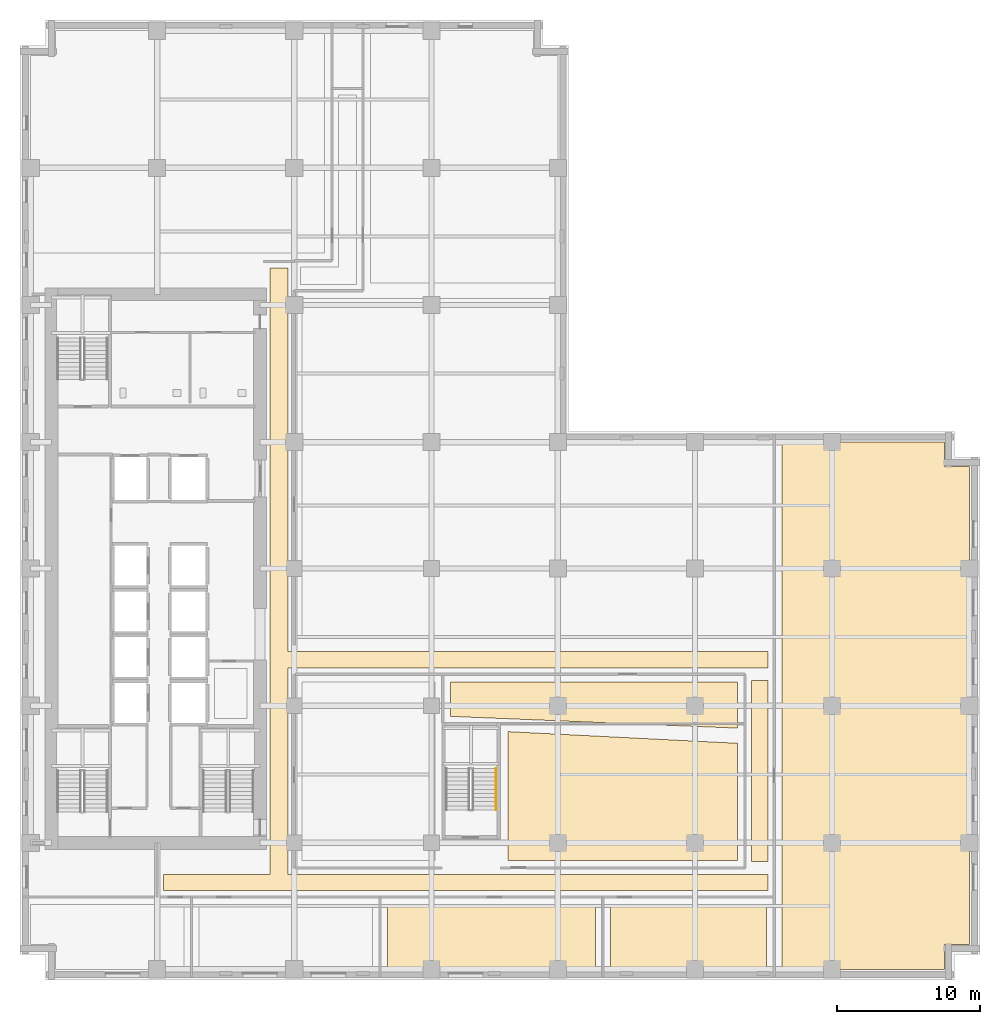
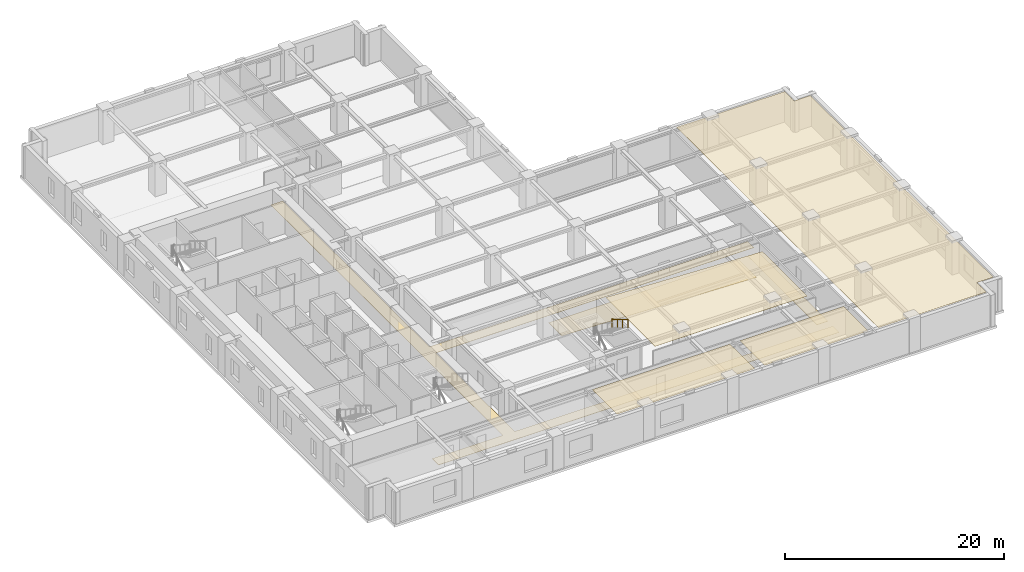
# One storey, part 10 of 13: 7 coverings, 1 railing.
"""IFC4 building model written with IfcOpenShell, lengths in metres."""

from ifc_helpers import new_model, si_unit, direction, frame, origin, origin_2d, place, context, subcontext, project, spatial, polyline, circle, outline, extrude, material, layer, layer_set, type_object, element, save


model = new_model("IFC4")

# Units and contexts
model_context = context("Model", 3, precision=1e-05, world=origin(), true_north=direction((0.0, 1.0)))
body_context = subcontext(model_context, "Body", "Model", "MODEL_VIEW")
ifc_project = project(units=[si_unit("LENGTHUNIT", "METRE"), si_unit("AREAUNIT", "SQUARE_METRE"), si_unit("VOLUMEUNIT", "CUBIC_METRE"), si_unit("PLANEANGLEUNIT", "RADIAN"), si_unit("MASSUNIT", "GRAM", prefix="KILO")], contexts=[model_context])

# Site, building, storey
site_placement = place(None, origin())
site = spatial("IfcSite", under=ifc_project, at=site_placement, CompositionType="ELEMENT")
building_placement = place(site_placement, origin())
building = spatial("IfcBuilding", under=site, at=building_placement, Name="Norrvale University Quadrangle", CompositionType="ELEMENT")
storey_placement = place(building_placement, frame((0.0, 0.0, 43.199951171875)))
storey = spatial("IfcBuildingStorey", under=building, at=storey_placement, Name="L10", CompositionType="ELEMENT", Elevation=43.199951171875)

# Coverings
ifc_material_1 = material(Name="Perforated Acoustic Mineral Ceiling")
ifc_layer_1 = layer(ifc_material_1, 0.02490234375, Name="Perforated Acoustic Mineral Ceiling")
ifc_layer_set_1 = layer_set([ifc_layer_1], Name="Perforated Acoustic Mineral Ceiling")
covering_type_1 = type_object("IfcCoveringType", Name="Covering Acoustic Ceiling 25", PredefinedType="CEILING", material=ifc_layer_set_1)
covering_1_placement = place(storey_placement, frame((0.0, 0.0, 3.51513671875)))
element("IfcCovering", 1, at=covering_1_placement, inside=storey, type_object=covering_type_1, Name="Acoustic Ceiling RM-L10-S03", PredefinedType="CEILING", context=body_context, shape_type="SweptSolid", body=[
    extrude(outline(polyline([(25.72998046875, 5.27001953125), (40.27001953125, 5.27001953125), (40.27001953125, 0.75), (25.72998046875, 0.75), (25.72998046875, 5.27001953125)])), origin(), (0.0, 0.0, 1.0), 0.02490234375),
])
covering_2_placement = place(storey_placement, frame((0.0, 0.0, 3.51513671875)))
element("IfcCovering", 2, at=covering_2_placement, inside=storey, type_object=covering_type_1, Name="Acoustic Ceiling RM-L10-S04", PredefinedType="CEILING", context=body_context, shape_type="SweptSolid", body=[
    extrude(outline(polyline([(41.330078125, 5.27001953125), (52.27001953125, 5.27001953125), (52.27001953125, 0.75), (41.330078125, 0.75), (41.330078125, 5.27001953125)])), origin(), (0.0, 0.0, 1.0), 0.02490234375),
])
covering_3_placement = place(storey_placement, frame((0.0, 0.0, 3.51513671875)))
element("IfcCovering", 3, at=covering_3_placement, inside=storey, type_object=covering_type_1, Name="Acoustic Ceiling RM-L10-E01", PredefinedType="CEILING", context=body_context, shape_type="SweptSolid", body=[
    extrude(outline(polyline([(53.330078125, 0.75), (53.330078125, 37.64990234375), (64.72998046875, 37.64990234375), (64.72998046875, 35.929931640625), (66.449951171875, 35.929931640625), (66.449951171875, 2.469970703125), (64.72998046875, 2.469970703125), (64.72998046875, 0.75), (53.330078125, 0.75)])), origin(), (0.0, 0.0, 1.0), 0.02490234375),
])
covering_4_placement = place(storey_placement, frame((0.0, 0.0, 3.51513671875)))
element("IfcCovering", 4, at=covering_4_placement, inside=storey, type_object=covering_type_1, Name="Acoustic Ceiling RM-L10-ISE", PredefinedType="CEILING", context=body_context, shape_type="SweptSolid", body=[
    extrude(outline(polyline([(34.14990234375, 8.3798828125), (34.14990234375, 17.386962890625), (50.219970703125, 16.572021484375), (50.219970703125, 8.3798828125), (34.14990234375, 8.3798828125)])), origin(), (0.0, 0.0, 1.0), 0.02490234375),
])
ifc_material_2 = material(Name="Polished Terrazzo Flooring")
ifc_layer_2 = layer(ifc_material_2, 0.02490234375, Name="Polished Terrazzo Flooring")
ifc_layer_set_2 = layer_set([ifc_layer_2], Name="Polished Terrazzo Flooring")
covering_type_2 = type_object("IfcCoveringType", Name="Covering Terrazzo Floor 30", PredefinedType="FLOORING", material=ifc_layer_set_2)
covering_5_placement = place(storey_placement, origin())
element("IfcCovering", 5, at=covering_5_placement, inside=storey, type_object=covering_type_2, Name="Terrazzo Flooring RM-L10-CORR1", PredefinedType="FLOORING", context=body_context, shape_type="SweptSolid", body=[
    extrude(outline(polyline([(10.050048828125, 6.25), (10.050048828125, 7.39990234375), (17.5, 7.39990234375), (17.5, 49.85009765625), (18.75, 49.85009765625), (18.75, 23.0), (52.35009765625, 23.0), (52.35009765625, 21.85009765625), (18.75, 21.85009765625), (18.75, 7.39990234375), (52.35009765625, 7.39990234375), (52.35009765625, 6.25), (10.050048828125, 6.25)])), origin(), (0.0, 0.0, 1.0), 0.025146484375),
])
covering_6_placement = place(storey_placement, origin())
element("IfcCovering", 6, at=covering_6_placement, inside=storey, type_object=covering_type_2, Name="Terrazzo Flooring RM-L10-CORR2", PredefinedType="FLOORING", context=body_context, shape_type="SweptSolid", body=[
    extrude(outline(polyline([(51.199951171875, 8.300048828125), (51.199951171875, 20.949951171875), (52.35009765625, 20.949951171875), (52.35009765625, 8.300048828125), (51.199951171875, 8.300048828125)])), origin(), (0.0, 0.0, 1.0), 0.025146484375),
])
covering_7_placement = place(storey_placement, origin())
element("IfcCovering", 7, at=covering_7_placement, inside=storey, type_object=covering_type_2, Name="Terrazzo Flooring RM-L10-ILH", PredefinedType="FLOORING", context=body_context, shape_type="SweptSolid", body=[
    extrude(outline(polyline([(30.1298828125, 18.451904296875), (30.1298828125, 20.8701171875), (50.219970703125, 20.8701171875), (50.219970703125, 17.62890625), (30.1298828125, 18.451904296875)])), origin(), (0.0, 0.0, 1.0), 0.025146484375),
])

# Railing
ifc_material_3 = material(Name="Stainless Steel 316L Handrail", Category="steel")
railing_type = type_object("IfcRailingType", Name="Railing Stair Handrail 920", PredefinedType="HANDRAIL", material=ifc_material_3)
railing_placement = place(storey_placement, frame((33.31005859375, 14.800048828125, 2.07275390625)))
element("IfcRailing", 8, at=railing_placement, inside=storey, type_object=railing_type, Name="Stair Upper Flight Handrail ST-04 L10", PredefinedType="HANDRAIL", context=body_context, shape_type="SweptSolid", body=[
    extrude(circle(Radius=0.02392578125, at=origin_2d()), frame((0.0, 0.0, 0.89599609375), z_axis=(0.0, -0.859160404282, 0.51170636083), x_axis=(1.0, 0.0, 0.0)), (0.0, 0.0, 1.0), 3.37548828125),
    extrude(circle(Radius=0.02099609375, at=origin_2d()), origin(), (0.0, 0.0, 1.0), 0.871826171875),
    extrude(circle(Radius=0.02099609375, at=origin_2d()), frame((0.0, -0.966796875, 0.57568359375)), (0.0, 0.0, 1.0), 0.871826171875),
    extrude(circle(Radius=0.02099609375, at=origin_2d()), frame((0.0, -1.933349609375, 1.151611328125)), (0.0, 0.0, 1.0), 0.871826171875),
    extrude(circle(Radius=0.02099609375, at=origin_2d()), frame((0.0, -2.900146484375, 1.727294921875)), (0.0, 0.0, 1.0), 0.871826171875),
])

save(model, "model.ifc")
